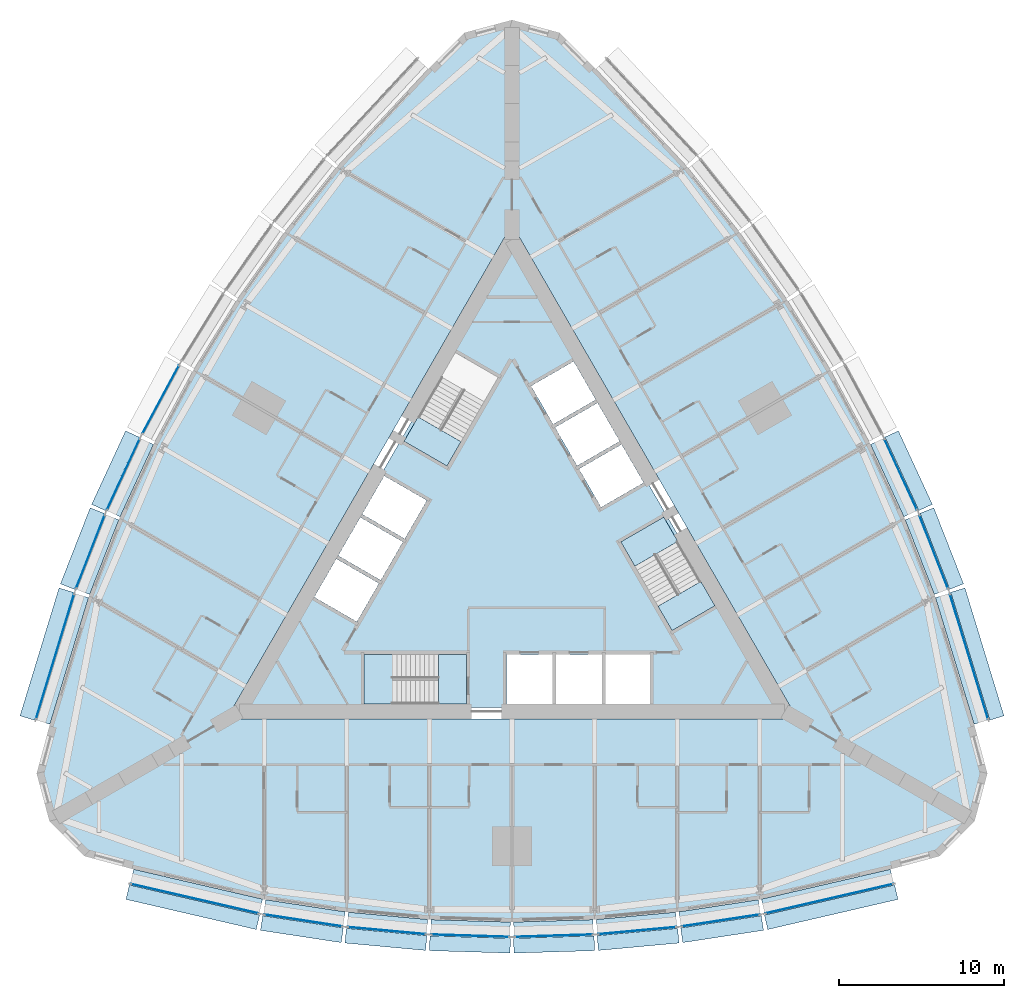
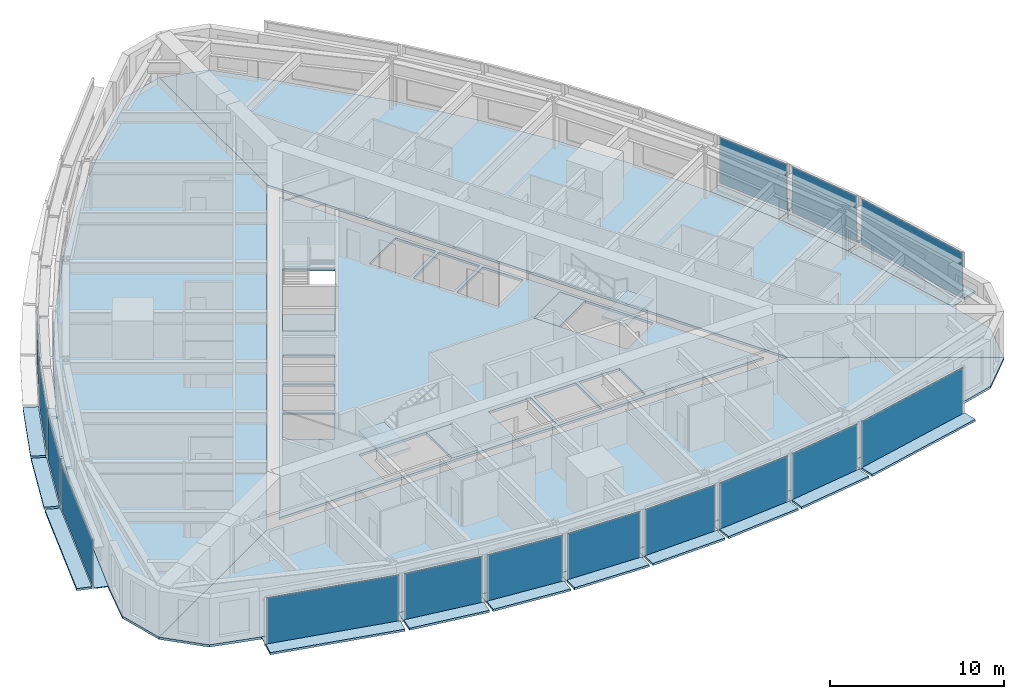
# One storey, part 6 of 14: 43 plates, 9 slabs, 18 elements without a shape of their own.
"""IFC4 building model written with IfcOpenShell, lengths in metres."""

from ifc_helpers import new_model, si_unit, direction, frame, origin, origin_2d, place, context, subcontext, project, spatial, polyline, rectangle, outline, extrude, material, layer, layer_set, type_object, element, aggregate, save


model = new_model("IFC4")

# Units and contexts
model_context = context("Model", 3, precision=1e-05, world=origin(), true_north=direction((0.0, 1.0)))
body_context = subcontext(model_context, "Body", "Model", "MODEL_VIEW")
ifc_project = project(units=[si_unit("LENGTHUNIT", "METRE"), si_unit("AREAUNIT", "SQUARE_METRE"), si_unit("VOLUMEUNIT", "CUBIC_METRE"), si_unit("PLANEANGLEUNIT", "RADIAN"), si_unit("MASSUNIT", "GRAM", prefix="KILO")], contexts=[model_context])

# Site, building, storey
site_placement = place(None, origin())
site = spatial("IfcSite", under=ifc_project, at=site_placement, CompositionType="ELEMENT")
building_placement = place(site_placement, origin())
building = spatial("IfcBuilding", under=site, at=building_placement, Name="Trikona Tower", CompositionType="ELEMENT")
storey_placement = place(building_placement, frame((0.0, 0.0, 28.5)))
storey = spatial("IfcBuildingStorey", under=building, at=storey_placement, Name="L05", CompositionType="ELEMENT", Elevation=28.5)

# Plates
ifc_material_1 = material(Name="Aluminium bar grating", Category="aluminium")
ifc_layer_1 = layer(ifc_material_1, 0.050048828125)
ifc_layer_set_1 = layer_set([ifc_layer_1], Name="Cavity catwalk grating")
plate_type_1 = type_object("IfcPlateType", Name="Cavity catwalk grating", PredefinedType="USERDEFINED", material=ifc_layer_set_1)
plate_1_placement = place(storey_placement, frame((-19.09228515625, -20.377197265625, -0.0498046875), z_axis=(0.0, 0.0, 1.0), x_axis=(0.974277718622, -0.225350675607, 0.0)))
element("IfcPlate", 1, at=plate_1_placement, inside=storey, type_object=plate_type_1, Name="Cavity catwalk L05-00", ObjectType="CATWALK GRATING", PredefinedType="USERDEFINED", context=body_context, shape_type="SweptSolid", body=[
    extrude(rectangle(XDim=8.01123046875, YDim=0.820068359375, at=origin_2d()), origin(), (0.0, 0.0, 1.0), 0.050048828125),
])
plate_2_placement = place(storey_placement, frame((-12.561767578125, -21.688720703125, -0.0498046875), z_axis=(0.0, 0.0, 1.0), x_axis=(0.988617896768, -0.150448177754, 0.0)))
element("IfcPlate", 2, at=plate_2_placement, inside=storey, type_object=plate_type_1, Name="Cavity catwalk L05-01", ObjectType="CATWALK GRATING", PredefinedType="USERDEFINED", context=body_context, shape_type="SweptSolid", body=[
    extrude(rectangle(XDim=4.857666015625, YDim=0.820068359375, at=origin_2d()), origin(), (0.0, 0.0, 1.0), 0.050048828125),
])
plate_3_placement = place(storey_placement, frame((-7.537353515625, -22.300537109375, -0.0498046875), z_axis=(0.0, 0.0, 1.0), x_axis=(0.995858098326, -0.090921108655, 0.0)))
element("IfcPlate", 3, at=plate_3_placement, inside=storey, type_object=plate_type_1, Name="Cavity catwalk L05-02", ObjectType="CATWALK GRATING", PredefinedType="USERDEFINED", context=body_context, shape_type="SweptSolid", body=[
    extrude(rectangle(XDim=4.82080078125, YDim=0.820068359375, at=origin_2d()), origin(), (0.0, 0.0, 1.0), 0.050048828125),
])
for number, where, z_axis, x_axis, name in (
    (4, (-2.512451171875, -22.606201171875, -0.0498046875), (0.0, 0.0, 1.0), (0.999537048889, -0.030425119525, 0.0), "Cavity catwalk L05-03"),
    (5, (2.512451171875, -22.606201171875, -0.0498046875), (0.0, 0.0, 1.0), (0.999537048889, 0.030425119525, 0.0), "Cavity catwalk L05-04"),
):
    element("IfcPlate", number, at=place(storey_placement, frame(where, z_axis=z_axis, x_axis=x_axis)), inside=storey, type_object=plate_type_1, Name=name, ObjectType="CATWALK GRATING", PredefinedType="USERDEFINED", context=body_context, shape_type="SweptSolid", body=[
        extrude(rectangle(XDim=4.80224609375, YDim=0.820068359375, at=origin_2d()), origin(), (0.0, 0.0, 1.0), 0.050048828125),
    ])
plate_4_placement = place(storey_placement, frame((7.537353515625, -22.300537109375, -0.0498046875), z_axis=(0.0, 0.0, 1.0), x_axis=(0.995858098326, 0.090921108655, 0.0)))
element("IfcPlate", 6, at=plate_4_placement, inside=storey, type_object=plate_type_1, Name="Cavity catwalk L05-05", ObjectType="CATWALK GRATING", PredefinedType="USERDEFINED", context=body_context, shape_type="SweptSolid", body=[
    extrude(rectangle(XDim=4.82080078125, YDim=0.820068359375, at=origin_2d()), origin(), (0.0, 0.0, 1.0), 0.050048828125),
])
plate_5_placement = place(storey_placement, frame((12.561767578125, -21.688720703125, -0.0498046875), z_axis=(0.0, 0.0, 1.0), x_axis=(0.988617896768, 0.150448177754, 0.0)))
element("IfcPlate", 7, at=plate_5_placement, inside=storey, type_object=plate_type_1, Name="Cavity catwalk L05-06", ObjectType="CATWALK GRATING", PredefinedType="USERDEFINED", context=body_context, shape_type="SweptSolid", body=[
    extrude(rectangle(XDim=4.857666015625, YDim=0.820068359375, at=origin_2d()), origin(), (0.0, 0.0, 1.0), 0.050048828125),
])
for number, where, z_axis, x_axis, name in (
    (8, (19.09228515625, -20.377197265625, -0.0498046875), (0.0, 0.0, 1.0), (0.974277718622, 0.225350675607, 0.0), "Cavity catwalk L05-07"),
    (9, (27.193359375, -6.345947265625, -0.0498046875), (0.0, 0.0, 1.0), (-0.291979449475, 0.956424592471, 0.0), "Cavity catwalk L05-12"),
):
    element("IfcPlate", number, at=place(storey_placement, frame(where, z_axis=z_axis, x_axis=x_axis)), inside=storey, type_object=plate_type_1, Name=name, ObjectType="CATWALK GRATING", PredefinedType="USERDEFINED", context=body_context, shape_type="SweptSolid", body=[
        extrude(rectangle(XDim=8.01123046875, YDim=0.820068359375, at=origin_2d()), origin(), (0.0, 0.0, 1.0), 0.050048828125),
    ])
plate_6_placement = place(storey_placement, frame((25.06396484375, -0.034423828125, -0.0498046875), z_axis=(0.0, 0.0, 1.0), x_axis=(-0.364008876551, 0.931395478726, 0.0)))
element("IfcPlate", 10, at=plate_6_placement, inside=storey, type_object=plate_type_1, Name="Cavity catwalk L05-13", ObjectType="CATWALK GRATING", PredefinedType="USERDEFINED", context=body_context, shape_type="SweptSolid", body=[
    extrude(rectangle(XDim=4.857666015625, YDim=0.820068359375, at=origin_2d()), origin(), (0.0, 0.0, 1.0), 0.050048828125),
])
for number, where, z_axis, x_axis, name in (
    (11, (23.081298828125, 4.622802734375, -0.0498046875), (0.0, 0.0, 1.0), (-0.41919381307, 0.907896771161, 0.0), "Cavity catwalk L05-14"),
    (12, (-23.081298828125, 4.622802734375, -0.0498046875), (0.0, 0.0, 1.0), (-0.41919381307, -0.907896771161, 0.0), "Cavity catwalk L05-29"),
):
    element("IfcPlate", number, at=place(storey_placement, frame(where, z_axis=z_axis, x_axis=x_axis)), inside=storey, type_object=plate_type_1, Name=name, ObjectType="CATWALK GRATING", PredefinedType="USERDEFINED", context=body_context, shape_type="SweptSolid", body=[
        extrude(rectangle(XDim=4.82080078125, YDim=0.820068359375, at=origin_2d()), origin(), (0.0, 0.0, 1.0), 0.050048828125),
    ])
plate_7_placement = place(storey_placement, frame((-25.06396484375, -0.034423828125, -0.0498046875), z_axis=(0.0, 0.0, 1.0), x_axis=(-0.364008876551, -0.931395478726, 0.0)))
element("IfcPlate", 13, at=plate_7_placement, inside=storey, type_object=plate_type_1, Name="Cavity catwalk L05-30", ObjectType="CATWALK GRATING", PredefinedType="USERDEFINED", context=body_context, shape_type="SweptSolid", body=[
    extrude(rectangle(XDim=4.857666015625, YDim=0.820068359375, at=origin_2d()), origin(), (0.0, 0.0, 1.0), 0.050048828125),
])
plate_8_placement = place(storey_placement, frame((-27.193359375, -6.345947265625, -0.0498046875), z_axis=(0.0, 0.0, 1.0), x_axis=(-0.291979449475, -0.956424592471, 0.0)))
element("IfcPlate", 14, at=plate_8_placement, inside=storey, type_object=plate_type_1, Name="Cavity catwalk L05-31", ObjectType="CATWALK GRATING", PredefinedType="USERDEFINED", context=body_context, shape_type="SweptSolid", body=[
    extrude(rectangle(XDim=8.01123046875, YDim=0.820068359375, at=origin_2d()), origin(), (0.0, 0.0, 1.0), 0.050048828125),
])

# Slabs
ifc_material_2 = material(Name="Concrete f'c 5000 psi lightweight on composite steel deck", Category="concrete")
ifc_layer_2 = layer(ifc_material_2, 0.1650390625)
ifc_layer_set_2 = layer_set([ifc_layer_2], Name="Composite floor slab 165")
slab_type_1 = type_object("IfcSlabType", Name="Composite floor slab 165", PredefinedType="FLOOR", material=ifc_layer_set_2)
slab_1_placement = place(storey_placement, frame((0.0, 0.0, -0.1650390625)))
element("IfcSlab", 15, at=slab_1_placement, inside=storey, type_object=slab_type_1, Name="Floor slab L05 core", PredefinedType="FLOOR", context=body_context, shape_type="SweptSolid", body=[
    extrude(outline(polyline([(-16.06689453125, -9.2763671875), (16.06689453125, -9.2763671875), (0.0, 18.552490234375), (-16.06689453125, -9.2763671875)]), holes=[polyline([(12.285400390625, -3.126220703125), (9.185302734375, 2.2431640625), (6.587158203125, 0.7431640625), (9.687255859375, -4.626220703125), (12.285400390625, -3.126220703125)]), polyline([(8.340087890625, -9.06640625), (8.340087890625, -6.086181640625), (5.659912109375, -6.086181640625), (5.659912109375, -9.06640625), (8.340087890625, -9.06640625)]), polyline([(5.390869140625, 2.835205078125), (7.9716796875, 4.3251953125), (6.631591796875, 6.646240234375), (4.05078125, 5.15625), (5.390869140625, 2.835205078125)]), polyline([(2.600830078125, 7.667724609375), (3.94091796875, 5.3466796875), (6.521484375, 6.8369140625), (5.181640625, 9.15771484375), (2.600830078125, 7.667724609375)]), polyline([(5.43994140625, -6.086181640625), (2.659912109375, -6.086181640625), (2.659912109375, -9.06640625), (5.43994140625, -9.06640625), (5.43994140625, -6.086181640625)]), polyline([(3.731689453125, 11.669189453125), (1.15087890625, 10.17919921875), (2.490966796875, 7.858154296875), (5.071533203125, 9.34814453125), (3.731689453125, 11.669189453125)]), polyline([(-0.340087890625, -6.086181640625), (-0.340087890625, -9.06640625), (2.43994140625, -9.06640625), (2.43994140625, -6.086181640625), (-0.340087890625, -6.086181640625)]), polyline([(-3.435302734375, 12.202392578125), (-6.535400390625, 6.8330078125), (-3.937255859375, 5.3330078125), (-0.837158203125, 10.702392578125), (-3.435302734375, 12.202392578125)]), polyline([(-8.949951171875, -9.076416015625), (-2.75, -9.076416015625), (-2.75, -6.076416015625), (-8.949951171875, -6.076416015625), (-8.949951171875, -9.076416015625)]), polyline([(-5.15087890625, 3.2509765625), (-7.731689453125, 4.740966796875), (-9.071533203125, 2.419921875), (-6.490966796875, 0.929931640625), (-5.15087890625, 3.2509765625)]), polyline([(-7.94091796875, -1.581298828125), (-6.600830078125, 0.739501953125), (-9.181640625, 2.2294921875), (-10.521484375, -0.09130859375), (-7.94091796875, -1.581298828125)]), polyline([(-11.9716796875, -2.602783203125), (-9.390869140625, -4.093017578125), (-8.05078125, -1.77197265625), (-10.631591796875, -0.281982421875), (-11.9716796875, -2.602783203125)])]), origin(), (0.0, 0.0, 1.0), 0.1650390625),
])
slab_2_placement = place(storey_placement, frame((0.0, 0.0, -0.1650390625)))
element("IfcSlab", 16, at=slab_2_placement, inside=storey, type_object=slab_type_1, Name="Floor slab L05 south", PredefinedType="FLOOR", context=body_context, shape_type="SweptSolid", body=[
    extrude(outline(polyline([(25.88671875, -18.279052734375), (28.0, -16.165771484375), (17.279296875, -9.976318359375), (-17.279296875, -9.976318359375), (-28.0, -16.165771484375), (-25.88671875, -18.279052734375), (-23.0, -19.052490234375), (-15.0, -20.903076171875), (-10.0, -21.663818359375), (-5.0, -22.120361328125), (0.0, -22.272705078125), (5.0, -22.120361328125), (10.0, -21.663818359375), (15.0, -20.903076171875), (23.0, -19.052490234375), (25.88671875, -18.279052734375)])), origin(), (0.0, 0.0, 1.0), 0.1650390625),
])
slab_3_placement = place(storey_placement, frame((0.0, 0.0, -0.1650390625)))
element("IfcSlab", 17, at=slab_3_placement, inside=storey, type_object=slab_type_1, Name="Floor slab L05 north-east", PredefinedType="FLOOR", context=body_context, shape_type="SweptSolid", body=[
    extrude(outline(polyline([(2.88671875, 31.55810546875), (0.0, 32.33154296875), (0.0, 19.95263671875), (17.279296875, -9.976318359375), (28.0, -16.165771484375), (28.7734375, -13.279052734375), (28.0, -10.392333984375), (25.6025390625, -2.538818359375), (23.761474609375, 2.171630859375), (21.65673828125, 6.72998046875), (19.28857421875, 11.13623046875), (16.65673828125, 15.390380859375), (13.761474609375, 19.4921875), (10.6025390625, 23.44189453125), (5.0, 29.44482421875), (2.88671875, 31.55810546875)])), origin(), (0.0, 0.0, 1.0), 0.1650390625),
])
slab_4_placement = place(storey_placement, frame((0.0, 0.0, -0.1650390625)))
element("IfcSlab", 18, at=slab_4_placement, inside=storey, type_object=slab_type_1, Name="Floor slab L05 north-west", PredefinedType="FLOOR", context=body_context, shape_type="SweptSolid", body=[
    extrude(outline(polyline([(0.0, 19.95263671875), (0.0, 32.33154296875), (-2.88671875, 31.55810546875), (-5.0, 29.44482421875), (-10.6025390625, 23.44189453125), (-13.761474609375, 19.4921875), (-16.65673828125, 15.390380859375), (-19.28857421875, 11.13623046875), (-21.65673828125, 6.72998046875), (-23.761474609375, 2.171630859375), (-25.6025390625, -2.538818359375), (-28.0, -10.392333984375), (-28.7734375, -13.279052734375), (-28.0, -16.165771484375), (-17.279296875, -9.976318359375), (0.0, 19.95263671875)])), origin(), (0.0, 0.0, 1.0), 0.1650390625),
])

# Curtain wall, plate
ifc_material_3 = material(Name="Aluminium curtain wall system", Category="aluminium")
curtain_wall_type = type_object("IfcCurtainWallType", Name="Curtain wall DS1", PredefinedType="NOTDEFINED", material=ifc_material_3)
curtain_wall_1_placement = place(storey_placement, origin())
curtain_wall_1 = element("IfcCurtainWall", 19, at=curtain_wall_1_placement, inside=storey, type_object=curtain_wall_type, Name="Curtain wall DS1 L05", PredefinedType="NOTDEFINED")
ifc_material_4 = material(Name="Laminated clear glass", Category="glass")
ifc_layer_3 = layer(ifc_material_4, 0.028076171875)
ifc_layer_set_3 = layer_set([ifc_layer_3], Name="Glass panel DS1")
plate_type_2 = type_object("IfcPlateType", Name="Glass panel DS1", PredefinedType="CURTAIN_PANEL", material=ifc_layer_set_3)
plate_9_placement = place(storey_placement, frame((-19.202880859375, -20.854736328125, 0.080078125), z_axis=(0.0, 0.0, 1.0), x_axis=(0.974279427173, -0.225343288756, 0.0)))
plate_9 = element("IfcPlate", 20, at=plate_9_placement, type_object=plate_type_2, Name="CW-DS1 panel 1.1", PredefinedType="CURTAIN_PANEL", context=body_context, shape_type="SweptSolid", body=[
    extrude(rectangle(XDim=7.93115234375, YDim=0.028076171875, at=origin_2d()), origin(), (0.0, 0.0, 1.0), 3.239990234375),
])
aggregate(curtain_wall_1, [plate_9])

curtain_wall_2_placement = place(storey_placement, origin())
curtain_wall_2 = element("IfcCurtainWall", 21, at=curtain_wall_2_placement, inside=storey, type_object=curtain_wall_type, Name="Curtain wall DS1 L05", PredefinedType="NOTDEFINED")
plate_10_placement = place(storey_placement, frame((-12.635498046875, -22.173095703125, 0.080078125), z_axis=(0.0, 0.0, 1.0), x_axis=(0.988619492156, -0.150437693845, 0.0)))
plate_10 = element("IfcPlate", 22, at=plate_10_placement, type_object=plate_type_2, Name="CW-DS1 panel 1.1", PredefinedType="CURTAIN_PANEL", context=body_context, shape_type="SweptSolid", body=[
    extrude(rectangle(XDim=4.777587890625, YDim=0.028076171875, at=origin_2d()), origin(), (0.0, 0.0, 1.0), 3.239990234375),
])
aggregate(curtain_wall_2, [plate_10])

curtain_wall_3_placement = place(storey_placement, origin())
curtain_wall_3 = element("IfcCurtainWall", 23, at=curtain_wall_3_placement, inside=storey, type_object=curtain_wall_type, Name="Curtain wall DS1 L05", PredefinedType="NOTDEFINED")
plate_11_placement = place(storey_placement, frame((-7.581787109375, -22.788330078125, 0.080078125), z_axis=(0.0, 0.0, 1.0), x_axis=(0.995857840485, -0.090923932737, 0.0)))
plate_11 = element("IfcPlate", 24, at=plate_11_placement, type_object=plate_type_2, Name="CW-DS1 panel 1.1", PredefinedType="CURTAIN_PANEL", context=body_context, shape_type="SweptSolid", body=[
    extrude(rectangle(XDim=4.74072265625, YDim=0.028076171875, at=origin_2d()), origin(), (0.0, 0.0, 1.0), 3.239990234375),
])
aggregate(curtain_wall_3, [plate_11])

curtain_wall_4_placement = place(storey_placement, origin())
curtain_wall_4 = element("IfcCurtainWall", 25, at=curtain_wall_4_placement, inside=storey, type_object=curtain_wall_type, Name="Curtain wall DS1 L05", PredefinedType="NOTDEFINED")
plate_12_placement = place(storey_placement, frame((-2.52734375, -23.09619140625, 0.080078125), z_axis=(0.0, 0.0, 1.0), x_axis=(0.999536695965, -0.030436711692, 0.0)))
plate_12 = element("IfcPlate", 26, at=plate_12_placement, type_object=plate_type_2, Name="CW-DS1 panel 1.1", PredefinedType="CURTAIN_PANEL", context=body_context, shape_type="SweptSolid", body=[
    extrude(rectangle(XDim=4.72216796875, YDim=0.028076171875, at=origin_2d()), origin(), (0.0, 0.0, 1.0), 3.239990234375),
])
aggregate(curtain_wall_4, [plate_12])

curtain_wall_5_placement = place(storey_placement, origin())
curtain_wall_5 = element("IfcCurtainWall", 27, at=curtain_wall_5_placement, inside=storey, type_object=curtain_wall_type, Name="Curtain wall DS1 L05", PredefinedType="NOTDEFINED")
plate_13_placement = place(storey_placement, frame((2.52734375, -23.09619140625, 0.080078125), z_axis=(0.0, 0.0, 1.0), x_axis=(0.999536695965, 0.030436711692, 0.0)))
plate_13 = element("IfcPlate", 28, at=plate_13_placement, type_object=plate_type_2, Name="CW-DS1 panel 1.1", PredefinedType="CURTAIN_PANEL", context=body_context, shape_type="SweptSolid", body=[
    extrude(rectangle(XDim=4.72216796875, YDim=0.028076171875, at=origin_2d()), origin(), (0.0, 0.0, 1.0), 3.239990234375),
])
aggregate(curtain_wall_5, [plate_13])

curtain_wall_6_placement = place(storey_placement, origin())
curtain_wall_6 = element("IfcCurtainWall", 29, at=curtain_wall_6_placement, inside=storey, type_object=curtain_wall_type, Name="Curtain wall DS1 L05", PredefinedType="NOTDEFINED")
plate_14_placement = place(storey_placement, frame((7.581787109375, -22.788330078125, 0.080078125), z_axis=(0.0, 0.0, 1.0), x_axis=(0.995857840485, 0.090923932737, 0.0)))
plate_14 = element("IfcPlate", 30, at=plate_14_placement, type_object=plate_type_2, Name="CW-DS1 panel 1.1", PredefinedType="CURTAIN_PANEL", context=body_context, shape_type="SweptSolid", body=[
    extrude(rectangle(XDim=4.74072265625, YDim=0.028076171875, at=origin_2d()), origin(), (0.0, 0.0, 1.0), 3.239990234375),
])
aggregate(curtain_wall_6, [plate_14])

curtain_wall_7_placement = place(storey_placement, origin())
curtain_wall_7 = element("IfcCurtainWall", 31, at=curtain_wall_7_placement, inside=storey, type_object=curtain_wall_type, Name="Curtain wall DS1 L05", PredefinedType="NOTDEFINED")
plate_15_placement = place(storey_placement, frame((12.635498046875, -22.173095703125, 0.080078125), z_axis=(0.0, 0.0, 1.0), x_axis=(0.988619492156, 0.150437693845, 0.0)))
plate_15 = element("IfcPlate", 32, at=plate_15_placement, type_object=plate_type_2, Name="CW-DS1 panel 1.1", PredefinedType="CURTAIN_PANEL", context=body_context, shape_type="SweptSolid", body=[
    extrude(rectangle(XDim=4.777587890625, YDim=0.028076171875, at=origin_2d()), origin(), (0.0, 0.0, 1.0), 3.239990234375),
])
aggregate(curtain_wall_7, [plate_15])

curtain_wall_8_placement = place(storey_placement, origin())
curtain_wall_8 = element("IfcCurtainWall", 33, at=curtain_wall_8_placement, inside=storey, type_object=curtain_wall_type, Name="Curtain wall DS1 L05", PredefinedType="NOTDEFINED")
plate_16_placement = place(storey_placement, frame((19.202880859375, -20.854736328125, 0.080078125), z_axis=(0.0, 0.0, 1.0), x_axis=(0.974279427173, 0.225343288756, 0.0)))
plate_16 = element("IfcPlate", 34, at=plate_16_placement, type_object=plate_type_2, Name="CW-DS1 panel 1.1", PredefinedType="CURTAIN_PANEL", context=body_context, shape_type="SweptSolid", body=[
    extrude(rectangle(XDim=7.93115234375, YDim=0.028076171875, at=origin_2d()), origin(), (0.0, 0.0, 1.0), 3.239990234375),
])
aggregate(curtain_wall_8, [plate_16])

curtain_wall_9_placement = place(storey_placement, origin())
curtain_wall_9 = element("IfcCurtainWall", 35, at=curtain_wall_9_placement, inside=storey, type_object=curtain_wall_type, Name="Curtain wall DS1 L05", PredefinedType="NOTDEFINED")
plate_17_placement = place(storey_placement, frame((27.662109375, -6.202880859375, 0.080078125), z_axis=(0.0, 0.0, 1.0), x_axis=(-0.291984287868, 0.956423115383, 0.0)))
plate_17 = element("IfcPlate", 36, at=plate_17_placement, type_object=plate_type_2, Name="CW-DS1 panel 1.1", PredefinedType="CURTAIN_PANEL", context=body_context, shape_type="SweptSolid", body=[
    extrude(rectangle(XDim=7.93115234375, YDim=0.028076171875, at=origin_2d()), origin(), (0.0, 0.0, 1.0), 3.239990234375),
])
aggregate(curtain_wall_9, [plate_17])

curtain_wall_10_placement = place(storey_placement, origin())
curtain_wall_10 = element("IfcCurtainWall", 37, at=curtain_wall_10_placement, inside=storey, type_object=curtain_wall_type, Name="Curtain wall DS1 L05", PredefinedType="NOTDEFINED")
plate_18_placement = place(storey_placement, frame((25.520263671875, 0.14404296875, 0.080078125), z_axis=(0.0, 0.0, 1.0), x_axis=(-0.36400756977, 0.931395989443, 0.0)))
plate_18 = element("IfcPlate", 38, at=plate_18_placement, type_object=plate_type_2, Name="CW-DS1 panel 1.1", PredefinedType="CURTAIN_PANEL", context=body_context, shape_type="SweptSolid", body=[
    extrude(rectangle(XDim=4.777587890625, YDim=0.028076171875, at=origin_2d()), origin(), (0.0, 0.0, 1.0), 3.239990234375),
])
aggregate(curtain_wall_10, [plate_18])

curtain_wall_11_placement = place(storey_placement, origin())
curtain_wall_11 = element("IfcCurtainWall", 39, at=curtain_wall_11_placement, inside=storey, type_object=curtain_wall_type, Name="Curtain wall DS1 L05", PredefinedType="NOTDEFINED")
plate_19_placement = place(storey_placement, frame((23.5263671875, 4.828125, 0.080078125), z_axis=(0.0, 0.0, 1.0), x_axis=(-0.419190155352, 0.907898459992, 0.0)))
plate_19 = element("IfcPlate", 40, at=plate_19_placement, type_object=plate_type_2, Name="CW-DS1 panel 1.1", PredefinedType="CURTAIN_PANEL", context=body_context, shape_type="SweptSolid", body=[
    extrude(rectangle(XDim=4.740966796875, YDim=0.028076171875, at=origin_2d()), origin(), (0.0, 0.0, 1.0), 3.239990234375),
])
aggregate(curtain_wall_11, [plate_19])

curtain_wall_12_placement = place(storey_placement, origin())
curtain_wall_12 = element("IfcCurtainWall", 41, at=curtain_wall_12_placement, inside=storey, type_object=curtain_wall_type, Name="Curtain wall DS1 L05", PredefinedType="NOTDEFINED")
plate_20_placement = place(storey_placement, frame((-21.265380859375, 9.359130859375, 0.080078125), z_axis=(0.0, 0.0, 1.0), x_axis=(-0.473408350896, -0.880843080975, 0.0)))
plate_20 = element("IfcPlate", 42, at=plate_20_placement, type_object=plate_type_2, Name="CW-DS1 panel 1.1", PredefinedType="CURTAIN_PANEL", context=body_context, shape_type="SweptSolid", body=[
    extrude(rectangle(XDim=4.72216796875, YDim=0.028076171875, at=origin_2d()), origin(), (0.0, 0.0, 1.0), 3.239990234375),
])
aggregate(curtain_wall_12, [plate_20])

curtain_wall_13_placement = place(storey_placement, origin())
curtain_wall_13 = element("IfcCurtainWall", 43, at=curtain_wall_13_placement, inside=storey, type_object=curtain_wall_type, Name="Curtain wall DS1 L05", PredefinedType="NOTDEFINED")
plate_21_placement = place(storey_placement, frame((-23.5263671875, 4.828125, 0.080078125), z_axis=(0.0, 0.0, 1.0), x_axis=(-0.419190155352, -0.907898459992, 0.0)))
plate_21 = element("IfcPlate", 44, at=plate_21_placement, type_object=plate_type_2, Name="CW-DS1 panel 1.1", PredefinedType="CURTAIN_PANEL", context=body_context, shape_type="SweptSolid", body=[
    extrude(rectangle(XDim=4.740966796875, YDim=0.028076171875, at=origin_2d()), origin(), (0.0, 0.0, 1.0), 3.239990234375),
])
aggregate(curtain_wall_13, [plate_21])

curtain_wall_14_placement = place(storey_placement, origin())
curtain_wall_14 = element("IfcCurtainWall", 45, at=curtain_wall_14_placement, inside=storey, type_object=curtain_wall_type, Name="Curtain wall DS1 L05", PredefinedType="NOTDEFINED")
plate_22_placement = place(storey_placement, frame((-25.520263671875, 0.14404296875, 0.080078125), z_axis=(0.0, 0.0, 1.0), x_axis=(-0.36400756977, -0.931395989443, 0.0)))
plate_22 = element("IfcPlate", 46, at=plate_22_placement, type_object=plate_type_2, Name="CW-DS1 panel 1.1", PredefinedType="CURTAIN_PANEL", context=body_context, shape_type="SweptSolid", body=[
    extrude(rectangle(XDim=4.777587890625, YDim=0.028076171875, at=origin_2d()), origin(), (0.0, 0.0, 1.0), 3.239990234375),
])
aggregate(curtain_wall_14, [plate_22])

curtain_wall_15_placement = place(storey_placement, origin())
curtain_wall_15 = element("IfcCurtainWall", 47, at=curtain_wall_15_placement, inside=storey, type_object=curtain_wall_type, Name="Curtain wall DS1 L05", PredefinedType="NOTDEFINED")
plate_23_placement = place(storey_placement, frame((-27.662109375, -6.202880859375, 0.080078125), z_axis=(0.0, 0.0, 1.0), x_axis=(-0.291984287868, -0.956423115383, 0.0)))
plate_23 = element("IfcPlate", 48, at=plate_23_placement, type_object=plate_type_2, Name="CW-DS1 panel 1.1", PredefinedType="CURTAIN_PANEL", context=body_context, shape_type="SweptSolid", body=[
    extrude(rectangle(XDim=7.93115234375, YDim=0.028076171875, at=origin_2d()), origin(), (0.0, 0.0, 1.0), 3.239990234375),
])
aggregate(curtain_wall_15, [plate_23])

# Plates
ifc_material_5 = material(Name="Aluminium plate fin, pale anodised, on stainless steel outriggers", Category="steel")
ifc_layer_4 = layer(ifc_material_5, 0.14990234375)
ifc_layer_set_4 = layer_set([ifc_layer_4], Name="Outer skin fin 900")
plate_type_3 = type_object("IfcPlateType", Name="Outer skin fin 900", PredefinedType="USERDEFINED", material=ifc_layer_set_4)
plate_24_placement = place(storey_placement, frame((-19.322265625, -21.37109375, 0.0), z_axis=(0.0, 0.0, 1.0), x_axis=(0.974277718622, -0.225350675607, 0.0)))
element("IfcPlate", 49, at=plate_24_placement, inside=storey, type_object=plate_type_3, Name="Outer skin fin L05-00", ObjectType="FIN", PredefinedType="USERDEFINED", context=body_context, shape_type="SweptSolid", body=[
    extrude(rectangle(XDim=8.09130859375, YDim=0.89990234375, at=origin_2d()), origin(), (0.0, 0.0, 1.0), 0.14990234375),
])
plate_25_placement = place(storey_placement, frame((-12.715087890625, -22.697265625, 0.0), z_axis=(0.0, 0.0, 1.0), x_axis=(0.988617896768, -0.150448177754, 0.0)))
element("IfcPlate", 50, at=plate_25_placement, inside=storey, type_object=plate_type_3, Name="Outer skin fin L05-01", ObjectType="FIN", PredefinedType="USERDEFINED", context=body_context, shape_type="SweptSolid", body=[
    extrude(rectangle(XDim=4.9375, YDim=0.89990234375, at=origin_2d()), origin(), (0.0, 0.0, 1.0), 0.14990234375),
])
plate_26_placement = place(storey_placement, frame((-7.6298828125, -23.316162109375, 0.0), z_axis=(0.0, 0.0, 1.0), x_axis=(0.995858098326, -0.090921108655, 0.0)))
element("IfcPlate", 51, at=plate_26_placement, inside=storey, type_object=plate_type_3, Name="Outer skin fin L05-02", ObjectType="FIN", PredefinedType="USERDEFINED", context=body_context, shape_type="SweptSolid", body=[
    extrude(rectangle(XDim=4.90087890625, YDim=0.89990234375, at=origin_2d()), origin(), (0.0, 0.0, 1.0), 0.14990234375),
])
for number, where, z_axis, x_axis, name in (
    (52, (-2.54345703125, -23.625732421875, 0.0), (0.0, 0.0, 1.0), (0.999537048889, -0.030425119525, 0.0), "Outer skin fin L05-03"),
    (53, (2.54345703125, -23.625732421875, 0.0), (0.0, 0.0, 1.0), (0.999537048889, 0.030425119525, 0.0), "Outer skin fin L05-04"),
):
    element("IfcPlate", number, at=place(storey_placement, frame(where, z_axis=z_axis, x_axis=x_axis)), inside=storey, type_object=plate_type_3, Name=name, ObjectType="FIN", PredefinedType="USERDEFINED", context=body_context, shape_type="SweptSolid", body=[
        extrude(rectangle(XDim=4.88232421875, YDim=0.89990234375, at=origin_2d()), origin(), (0.0, 0.0, 1.0), 0.14990234375),
    ])
plate_27_placement = place(storey_placement, frame((7.6298828125, -23.316162109375, 0.0), z_axis=(0.0, 0.0, 1.0), x_axis=(0.995858098326, 0.090921108655, 0.0)))
element("IfcPlate", 54, at=plate_27_placement, inside=storey, type_object=plate_type_3, Name="Outer skin fin L05-05", ObjectType="FIN", PredefinedType="USERDEFINED", context=body_context, shape_type="SweptSolid", body=[
    extrude(rectangle(XDim=4.90087890625, YDim=0.89990234375, at=origin_2d()), origin(), (0.0, 0.0, 1.0), 0.14990234375),
])
plate_28_placement = place(storey_placement, frame((12.715087890625, -22.697265625, 0.0), z_axis=(0.0, 0.0, 1.0), x_axis=(0.988617896768, 0.150448177754, 0.0)))
element("IfcPlate", 55, at=plate_28_placement, inside=storey, type_object=plate_type_3, Name="Outer skin fin L05-06", ObjectType="FIN", PredefinedType="USERDEFINED", context=body_context, shape_type="SweptSolid", body=[
    extrude(rectangle(XDim=4.9375, YDim=0.89990234375, at=origin_2d()), origin(), (0.0, 0.0, 1.0), 0.14990234375),
])
for number, where, z_axis, x_axis, name in (
    (56, (19.322265625, -21.37109375, 0.0), (0.0, 0.0, 1.0), (0.974277718622, 0.225350675607, 0.0), "Outer skin fin L05-07"),
    (57, (28.1689453125, -6.048095703125, 0.0), (0.0, 0.0, 1.0), (-0.291979449475, 0.956424592471, 0.0), "Outer skin fin L05-12"),
):
    element("IfcPlate", number, at=place(storey_placement, frame(where, z_axis=z_axis, x_axis=x_axis)), inside=storey, type_object=plate_type_3, Name=name, ObjectType="FIN", PredefinedType="USERDEFINED", context=body_context, shape_type="SweptSolid", body=[
        extrude(rectangle(XDim=8.09130859375, YDim=0.89990234375, at=origin_2d()), origin(), (0.0, 0.0, 1.0), 0.14990234375),
    ])
plate_29_placement = place(storey_placement, frame((26.013916015625, 0.3369140625, 0.0), z_axis=(0.0, 0.0, 1.0), x_axis=(-0.364008876551, 0.931395478726, 0.0)))
element("IfcPlate", 58, at=plate_29_placement, inside=storey, type_object=plate_type_3, Name="Outer skin fin L05-13", ObjectType="FIN", PredefinedType="USERDEFINED", context=body_context, shape_type="SweptSolid", body=[
    extrude(rectangle(XDim=4.9375, YDim=0.89990234375, at=origin_2d()), origin(), (0.0, 0.0, 1.0), 0.14990234375),
])
for number, where, z_axis, x_axis, name in (
    (59, (24.00732421875, 5.05029296875, 0.0), (0.0, 0.0, 1.0), (-0.41919381307, 0.907896771161, 0.0), "Outer skin fin L05-14"),
    (60, (-24.00732421875, 5.05029296875, 0.0), (0.0, 0.0, 1.0), (-0.41919381307, -0.907896771161, 0.0), "Outer skin fin L05-29"),
):
    element("IfcPlate", number, at=place(storey_placement, frame(where, z_axis=z_axis, x_axis=x_axis)), inside=storey, type_object=plate_type_3, Name=name, ObjectType="FIN", PredefinedType="USERDEFINED", context=body_context, shape_type="SweptSolid", body=[
        extrude(rectangle(XDim=4.90087890625, YDim=0.89990234375, at=origin_2d()), origin(), (0.0, 0.0, 1.0), 0.14990234375),
    ])
plate_30_placement = place(storey_placement, frame((-26.013916015625, 0.3369140625, 0.0), z_axis=(0.0, 0.0, 1.0), x_axis=(-0.364008876551, -0.931395478726, 0.0)))
element("IfcPlate", 61, at=plate_30_placement, inside=storey, type_object=plate_type_3, Name="Outer skin fin L05-30", ObjectType="FIN", PredefinedType="USERDEFINED", context=body_context, shape_type="SweptSolid", body=[
    extrude(rectangle(XDim=4.9375, YDim=0.89990234375, at=origin_2d()), origin(), (0.0, 0.0, 1.0), 0.14990234375),
])
plate_31_placement = place(storey_placement, frame((-28.1689453125, -6.048095703125, 0.0), z_axis=(0.0, 0.0, 1.0), x_axis=(-0.291979449475, -0.956424592471, 0.0)))
element("IfcPlate", 62, at=plate_31_placement, inside=storey, type_object=plate_type_3, Name="Outer skin fin L05-31", ObjectType="FIN", PredefinedType="USERDEFINED", context=body_context, shape_type="SweptSolid", body=[
    extrude(rectangle(XDim=8.09130859375, YDim=0.89990234375, at=origin_2d()), origin(), (0.0, 0.0, 1.0), 0.14990234375),
])

# Stair, slabs
ifc_material_6 = material(Name="Concrete f'c 5000 psi", Category="concrete")
stair_type = type_object("IfcStairType", Name="Core stair", PredefinedType="HALF_TURN_STAIR", material=ifc_material_6)
stair_1_placement = place(storey_placement, origin())
stair_1 = element("IfcStair", 63, at=stair_1_placement, inside=storey, type_object=stair_type, Name="Stair A L05", PredefinedType="HALF_TURN_STAIR")
ifc_material_7 = material(Name="Concrete f'c 5000 psi", Category="concrete")
ifc_layer_5 = layer(ifc_material_7, 0.199951171875)
ifc_layer_set_5 = layer_set([ifc_layer_5], Name="Stair landing 200")
slab_type_2 = type_object("IfcSlabType", Name="Stair landing 200", PredefinedType="LANDING", material=ifc_layer_set_5)
slab_5_placement = place(storey_placement, frame((0.0, 0.0, -0.199951171875)))
slab_5 = element("IfcSlab", 64, at=slab_5_placement, type_object=slab_type_2, Name="ST-A landing 1", PredefinedType="LANDING", context=body_context, shape_type="SweptSolid", body=[
    extrude(outline(polyline([(-4.452880859375, -6.076416015625), (-2.75, -6.076416015625), (-2.75, -9.076416015625), (-4.452880859375, -9.076416015625), (-4.452880859375, -6.076416015625)])), origin(), (0.0, 0.0, 1.0), 0.199951171875),
])
slab_6_placement = place(storey_placement, frame((0.0, 0.0, 1.5)))
slab_6 = element("IfcSlab", 65, at=slab_6_placement, type_object=slab_type_2, Name="ST-A landing 2", PredefinedType="LANDING", context=body_context, shape_type="SweptSolid", body=[
    extrude(outline(polyline([(-8.949951171875, -6.076416015625), (-7.2470703125, -6.076416015625), (-7.2470703125, -9.076416015625), (-8.949951171875, -9.076416015625), (-8.949951171875, -6.076416015625)])), origin(), (0.0, 0.0, 1.0), 0.199951171875),
])
aggregate(stair_1, [slab_5, slab_6])

stair_2_placement = place(storey_placement, origin())
stair_2 = element("IfcStair", 66, at=stair_2_placement, inside=storey, type_object=stair_type, Name="Stair B L05", PredefinedType="HALF_TURN_STAIR")
slab_7_placement = place(storey_placement, frame((0.0, 0.0, -0.199951171875)))
slab_7 = element("IfcSlab", 67, at=slab_7_placement, type_object=slab_type_2, Name="ST-B landing 1", PredefinedType="LANDING", context=body_context, shape_type="SweptSolid", body=[
    extrude(outline(polyline([(7.438720703125, -0.731689453125), (6.587158203125, 0.7431640625), (9.185302734375, 2.2431640625), (10.036865234375, 0.768310546875), (7.438720703125, -0.731689453125)])), origin(), (0.0, 0.0, 1.0), 0.199951171875),
])
slab_8_placement = place(storey_placement, frame((0.0, 0.0, 1.5)))
slab_8 = element("IfcSlab", 68, at=slab_8_placement, type_object=slab_type_2, Name="ST-B landing 2", PredefinedType="LANDING", context=body_context, shape_type="SweptSolid", body=[
    extrude(outline(polyline([(9.687255859375, -4.626220703125), (8.835693359375, -3.1513671875), (11.433837890625, -1.6513671875), (12.285400390625, -3.126220703125), (9.687255859375, -4.626220703125)])), origin(), (0.0, 0.0, 1.0), 0.199951171875),
])
aggregate(stair_2, [slab_7, slab_8])

# Stair, slab
stair_3_placement = place(storey_placement, origin())
stair_3 = element("IfcStair", 69, at=stair_3_placement, inside=storey, type_object=stair_type, Name="Stair C L05", PredefinedType="HALF_TURN_STAIR")
slab_9_placement = place(storey_placement, frame((0.0, 0.0, -0.199951171875)))
slab_9 = element("IfcSlab", 70, at=slab_9_placement, type_object=slab_type_2, Name="ST-C landing 1", PredefinedType="LANDING", context=body_context, shape_type="SweptSolid", body=[
    extrude(outline(polyline([(-3.085693359375, 6.807861328125), (-3.937255859375, 5.3330078125), (-6.535400390625, 6.8330078125), (-5.683837890625, 8.307861328125), (-3.085693359375, 6.807861328125)])), origin(), (0.0, 0.0, 1.0), 0.199951171875),
])
aggregate(stair_3, [slab_9])

save(model, "model.ifc")
